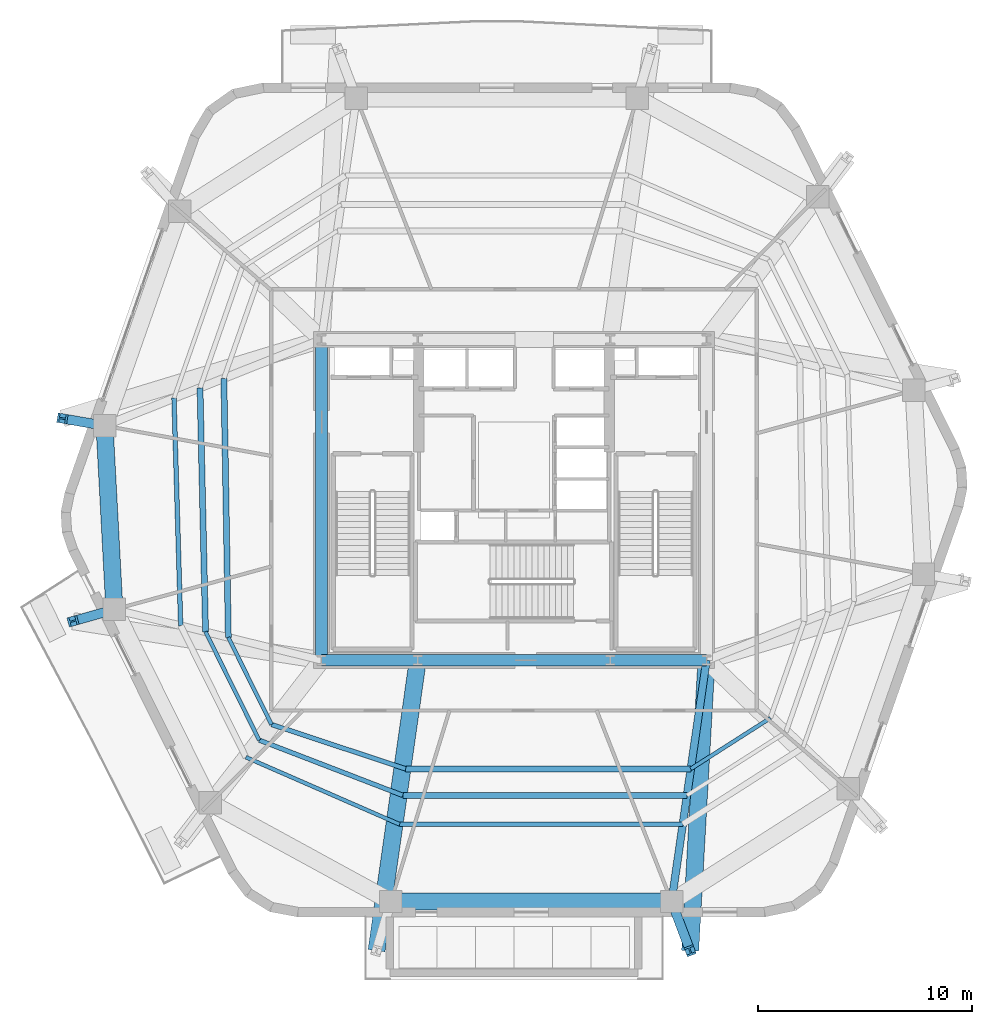
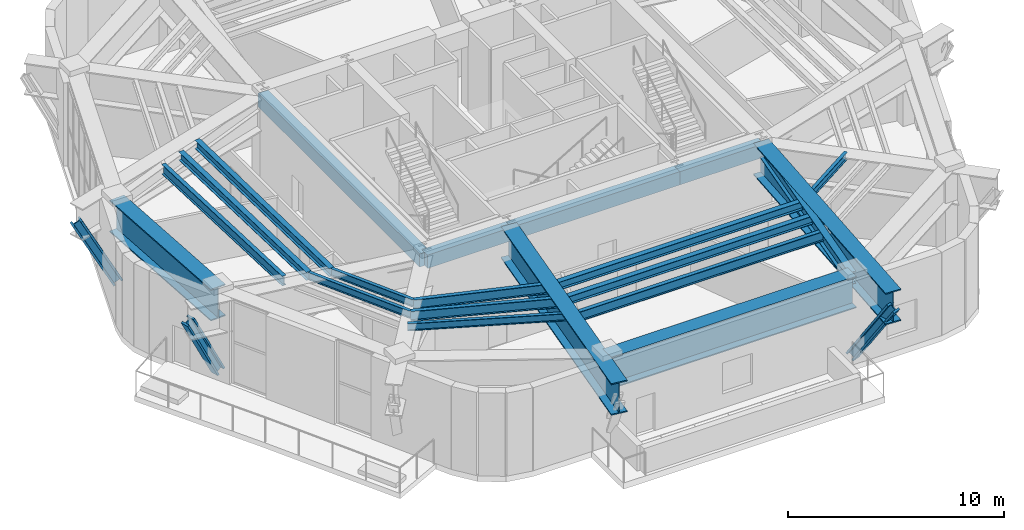
# One storey, part 3 of 18: 21 beams, 3 members.
"""IFC4 building model written with IfcOpenShell, lengths in metres."""

from ifc_helpers import new_model, si_unit, direction, frame, origin, origin_2d, place, context, subcontext, project, spatial, rectangle, i_section, extrude, material, material_profile, profile_set, type_object, element, save


model = new_model("IFC4")

# Units and contexts
model_context = context("Model", 3, precision=1e-05, world=origin(), true_north=direction((0.0, 1.0)))
body_context = subcontext(model_context, "Body", "Model", "MODEL_VIEW")
ifc_project = project(units=[si_unit("LENGTHUNIT", "METRE"), si_unit("AREAUNIT", "SQUARE_METRE"), si_unit("VOLUMEUNIT", "CUBIC_METRE"), si_unit("PLANEANGLEUNIT", "RADIAN"), si_unit("MASSUNIT", "GRAM", prefix="KILO")], contexts=[model_context])

# Site, building, storey
site_placement = place(None, origin())
site = spatial("IfcSite", under=ifc_project, at=site_placement, CompositionType="ELEMENT")
building_placement = place(site_placement, origin())
building = spatial("IfcBuilding", under=site, at=building_placement, Name="Kilnhurst Terrace Hotel", CompositionType="ELEMENT")
storey_placement = place(building_placement, frame((0.0, 0.0, 201.5)))
storey = spatial("IfcBuildingStorey", under=building, at=storey_placement, Name="L50", CompositionType="ELEMENT", Elevation=201.5)

# Beams
ifc_material_1 = material(Name="Concrete C50/60", Category="concrete")
ifc_material_profile_1 = material_profile(ifc_material_1, rectangle(XDim=0.550048828125, YDim=0.75, at=origin_2d()), Name="RC550X750")
ifc_profile_set_1 = profile_set([ifc_material_profile_1], Name="Concrete C50/60")
beam_type_1 = type_object("IfcBeamType", Name="BM-SPN-550X750", PredefinedType="SPANDREL", material=ifc_profile_set_1)
beam_1_placement = place(storey_placement, frame((-9.0, -7.5, 4.324951171875), z_axis=(1.0, 0.0, 0.0), x_axis=(0.0, 1.0, 0.0)))
element("IfcBeam", 1, at=beam_1_placement, inside=storey, type_object=beam_type_1, Name="L50 Core Tie Beam CC-SW to CC-SC1", PredefinedType="SPANDREL", context=body_context, shape_type="SweptSolid", body=[
    extrude(rectangle(XDim=0.550048828125, YDim=0.75, at=origin_2d()), origin(), (0.0, 0.0, 1.0), 4.5),
])
beam_2_placement = place(storey_placement, frame((-4.5, -7.5, 4.324951171875), z_axis=(1.0, 0.0, 0.0), x_axis=(0.0, 1.0, 0.0)))
element("IfcBeam", 2, at=beam_2_placement, inside=storey, type_object=beam_type_1, Name="L50 Core Tie Beam CC-SC1 to CC-SC2", PredefinedType="SPANDREL", context=body_context, shape_type="SweptSolid", body=[
    extrude(rectangle(XDim=0.550048828125, YDim=0.75, at=origin_2d()), origin(), (0.0, 0.0, 1.0), 9.0),
])
beam_3_placement = place(storey_placement, frame((4.5, -7.5, 4.324951171875), z_axis=(1.0, 0.0, 0.0), x_axis=(0.0, 1.0, 0.0)))
element("IfcBeam", 3, at=beam_3_placement, inside=storey, type_object=beam_type_1, Name="L50 Core Tie Beam CC-SC2 to CC-SE", PredefinedType="SPANDREL", context=body_context, shape_type="SweptSolid", body=[
    extrude(rectangle(XDim=0.550048828125, YDim=0.75, at=origin_2d()), origin(), (0.0, 0.0, 1.0), 4.5),
])
beam_4_placement = place(storey_placement, frame((-9.0, -7.5, 4.324951171875), z_axis=(0.0, 1.0, 0.0), x_axis=(-1.0, 0.0, 0.0)))
element("IfcBeam", 4, at=beam_4_placement, inside=storey, type_object=beam_type_1, Name="L50 Core Tie Beam CC-SW to CC-NW", PredefinedType="SPANDREL", context=body_context, shape_type="SweptSolid", body=[
    extrude(rectangle(XDim=0.550048828125, YDim=0.75, at=origin_2d()), origin(), (0.0, 0.0, 1.0), 15.0),
])
ifc_material_2 = material(Name="Steel ASTM A992 Grade 50", Category="steel")
ifc_material_profile_2 = material_profile(ifc_material_2, i_section(OverallWidth=0.354736328125, OverallDepth=0.695556640625, WebThickness=0.015380859375, FlangeThickness=0.025146484375, at=origin_2d()), Name="W27X146")
ifc_profile_set_2 = profile_set([ifc_material_profile_2], Name="Steel ASTM A992 Grade 50")
beam_type_2 = type_object("IfcBeamType", Name="BM-STL-W27X146", PredefinedType="BEAM", material=ifc_profile_set_2)
beam_5_placement = place(storey_placement, frame((9.0, -7.5, 4.35205078125), z_axis=(-0.143112538238, -0.989706421824, 0.0), x_axis=(0.989706421824, -0.143112538238, 0.0)))
element("IfcBeam", 5, at=beam_5_placement, inside=storey, type_object=beam_type_2, Name="L50 Radial Floor Beam 2", PredefinedType="BEAM", context=body_context, shape_type="SweptSolid", body=[
    extrude(i_section(OverallWidth=0.354736328125, OverallDepth=0.695556640625, WebThickness=0.015380859375, FlangeThickness=0.025146484375, at=origin_2d()), origin(), (0.0, 0.0, 1.0), 11.3974609375),
])
ifc_material_profile_3 = material_profile(ifc_material_2, i_section(OverallWidth=0.180908203125, OverallDepth=0.417236328125, WebThickness=0.010986328125, FlangeThickness=0.018310546875, at=origin_2d()), Name="W16X57")
ifc_profile_set_3 = profile_set([ifc_material_profile_3], Name="Steel ASTM A992 Grade 50")
beam_type_3 = type_object("IfcBeamType", Name="JST-STL-W16X57", PredefinedType="JOIST", material=ifc_profile_set_3)
beam_6_placement = place(storey_placement, frame((-12.538818359375, -12.032958984375, 4.490966796875), z_axis=(0.916443679054, -0.400163695407, 0.0), x_axis=(0.400163695407, 0.916443679054, 0.0)))
element("IfcBeam", 6, at=beam_6_placement, inside=storey, type_object=beam_type_3, Name="L50 Secondary Floor Steel Joist OUT.12", PredefinedType="JOIST", context=body_context, shape_type="SweptSolid", body=[
    extrude(i_section(OverallWidth=0.180908203125, OverallDepth=0.417236328125, WebThickness=0.010986328125, FlangeThickness=0.018310546875, at=origin_2d()), origin(), (0.0, 0.0, 1.0), 7.84033203125),
])
beam_7_placement = place(storey_placement, frame((8.26611328125, -12.575927734375, 4.490966796875), z_axis=(0.842910995806, 0.53805302076, 0.0), x_axis=(-0.53805302076, 0.842910995806, 0.0)))
element("IfcBeam", 7, at=beam_7_placement, inside=storey, type_object=beam_type_3, Name="L50 Secondary Floor Steel Joist IN.2", PredefinedType="JOIST", context=body_context, shape_type="SweptSolid", body=[
    extrude(i_section(OverallWidth=0.180908203125, OverallDepth=0.417236328125, WebThickness=0.010986328125, FlangeThickness=0.018310546875, at=origin_2d()), origin(), (0.0, 0.0, 1.0), 4.411865234375),
])
beam_8_placement = place(storey_placement, frame((-13.359130859375, -6.430908203125, 4.490966796875), z_axis=(0.444200626094, -0.895927342912, 0.0), x_axis=(0.895927342912, 0.444200626094, 0.0)))
element("IfcBeam", 8, at=beam_8_placement, inside=storey, type_object=beam_type_3, Name="L50 Secondary Floor Steel Joist IN.11", PredefinedType="JOIST", context=body_context, shape_type="SweptSolid", body=[
    extrude(i_section(OverallWidth=0.180908203125, OverallDepth=0.417236328125, WebThickness=0.010986328125, FlangeThickness=0.018310546875, at=origin_2d()), origin(), (0.0, 0.0, 1.0), 4.54150390625),
])
beam_9_placement = place(storey_placement, frame((-14.4248046875, -6.16943359375, 4.490966796875), z_axis=(0.444204491744, -0.895925426313, 0.0), x_axis=(0.895925426313, 0.444204491744, 0.0)))
element("IfcBeam", 9, at=beam_9_placement, inside=storey, type_object=beam_type_3, Name="L50 Secondary Floor Steel Joist MID.11", PredefinedType="JOIST", context=body_context, shape_type="SweptSolid", body=[
    extrude(i_section(OverallWidth=0.180908203125, OverallDepth=0.417236328125, WebThickness=0.010986328125, FlangeThickness=0.018310546875, at=origin_2d()), origin(), (0.0, 0.0, 1.0), 5.651611328125),
])
ifc_material_profile_4 = material_profile(ifc_material_2, i_section(OverallWidth=0.279296875, OverallDepth=0.462890625, WebThickness=0.0107421875, FlangeThickness=0.017333984375, at=origin_2d()), Name="W18X76")
ifc_profile_set_4 = profile_set([ifc_material_profile_4], Name="Steel ASTM A992 Grade 50")
beam_type_4 = type_object("IfcBeamType", Name="JST-STL-W18X76", PredefinedType="JOIST", material=ifc_profile_set_4)
beam_10_placement = place(storey_placement, frame((-5.064697265625, -12.575927734375, 4.468017578125), z_axis=(1.0, 0.0, 0.0), x_axis=(0.0, 1.0, 0.0)))
element("IfcBeam", 10, at=beam_10_placement, inside=storey, type_object=beam_type_4, Name="L50 Secondary Floor Steel Joist IN.1", PredefinedType="JOIST", context=body_context, shape_type="SweptSolid", body=[
    extrude(i_section(OverallWidth=0.279296875, OverallDepth=0.462890625, WebThickness=0.0107421875, FlangeThickness=0.017333984375, at=origin_2d()), origin(), (0.0, 0.0, 1.0), 13.330810546875),
])
beam_11_placement = place(storey_placement, frame((-13.566650390625, 5.685302734375, 4.468017578125), z_axis=(0.017124916462, -0.999853357866, 0.0), x_axis=(0.999853357866, 0.017124916462, 0.0)))
element("IfcBeam", 11, at=beam_11_placement, inside=storey, type_object=beam_type_4, Name="L50 Secondary Floor Steel Joist IN.10", PredefinedType="JOIST", context=body_context, shape_type="SweptSolid", body=[
    extrude(i_section(OverallWidth=0.279296875, OverallDepth=0.462890625, WebThickness=0.0107421875, FlangeThickness=0.017333984375, at=origin_2d()), origin(), (0.0, 0.0, 1.0), 12.117919921875),
])
beam_12_placement = place(storey_placement, frame((-5.202880859375, -13.81689453125, 4.468017578125), z_axis=(1.0, 0.0, 0.0), x_axis=(0.0, 1.0, 0.0)))
element("IfcBeam", 12, at=beam_12_placement, inside=storey, type_object=beam_type_4, Name="L50 Secondary Floor Steel Joist MID.1", PredefinedType="JOIST", context=body_context, shape_type="SweptSolid", body=[
    extrude(i_section(OverallWidth=0.279296875, OverallDepth=0.462890625, WebThickness=0.0107421875, FlangeThickness=0.017333984375, at=origin_2d()), origin(), (0.0, 0.0, 1.0), 13.28955078125),
])
beam_13_placement = place(storey_placement, frame((-14.682861328125, 5.241455078125, 4.468017578125), z_axis=(0.022609166003, -0.999744380136, 0.0), x_axis=(0.999744380136, 0.022609166003, 0.0)))
element("IfcBeam", 13, at=beam_13_placement, inside=storey, type_object=beam_type_4, Name="L50 Secondary Floor Steel Joist MID.10", PredefinedType="JOIST", context=body_context, shape_type="SweptSolid", body=[
    extrude(i_section(OverallWidth=0.279296875, OverallDepth=0.462890625, WebThickness=0.0107421875, FlangeThickness=0.017333984375, at=origin_2d()), origin(), (0.0, 0.0, 1.0), 11.413818359375),
])
ifc_material_profile_5 = material_profile(ifc_material_2, i_section(OverallWidth=0.2138671875, OverallDepth=0.549072265625, WebThickness=0.0146484375, FlangeThickness=0.023681640625, at=origin_2d()), Name="W21X93")
ifc_profile_set_5 = profile_set([ifc_material_profile_5], Name="Steel ASTM A992 Grade 50")
beam_type_5 = type_object("IfcBeamType", Name="JST-STL-W21X93", PredefinedType="JOIST", material=ifc_profile_set_5)
beam_14_placement = place(storey_placement, frame((-5.353515625, -15.17041015625, 4.425048828125), z_axis=(1.0, 0.0, 0.0), x_axis=(0.0, 1.0, 0.0)))
element("IfcBeam", 14, at=beam_14_placement, inside=storey, type_object=beam_type_5, Name="L50 Secondary Floor Steel Joist OUT.1", PredefinedType="JOIST", context=body_context, shape_type="SweptSolid", body=[
    extrude(i_section(OverallWidth=0.2138671875, OverallDepth=0.549072265625, WebThickness=0.0146484375, FlangeThickness=0.023681640625, at=origin_2d()), origin(), (0.0, 0.0, 1.0), 13.244384765625),
])
beam_15_placement = place(storey_placement, frame((-15.900634765625, 4.757568359375, 4.425048828125), z_axis=(0.029444201298, -0.999566425512, 0.0), x_axis=(0.999566425512, 0.029444201298, 0.0)))
element("IfcBeam", 15, at=beam_15_placement, inside=storey, type_object=beam_type_5, Name="L50 Secondary Floor Steel Joist OUT.10", PredefinedType="JOIST", context=body_context, shape_type="SweptSolid", body=[
    extrude(i_section(OverallWidth=0.2138671875, OverallDepth=0.549072265625, WebThickness=0.0146484375, FlangeThickness=0.023681640625, at=origin_2d()), origin(), (0.0, 0.0, 1.0), 10.646484375),
])
beam_16_placement = place(storey_placement, frame((-11.341796875, -10.499755859375, 4.425048828125), z_axis=(0.949415572736, -0.314022404051, 0.0), x_axis=(0.314022404051, 0.949415572736, 0.0)))
element("IfcBeam", 16, at=beam_16_placement, inside=storey, type_object=beam_type_5, Name="L50 Secondary Floor Steel Joist IN.12", PredefinedType="JOIST", context=body_context, shape_type="SweptSolid", body=[
    extrude(i_section(OverallWidth=0.2138671875, OverallDepth=0.549072265625, WebThickness=0.0146484375, FlangeThickness=0.023681640625, at=origin_2d()), origin(), (0.0, 0.0, 1.0), 6.611572265625),
])
beam_17_placement = place(storey_placement, frame((-11.914306640625, -11.23291015625, 4.425048828125), z_axis=(0.93322130885, -0.35930208559, 0.0), x_axis=(0.35930208559, 0.93322130885, 0.0)))
element("IfcBeam", 17, at=beam_17_placement, inside=storey, type_object=beam_type_5, Name="L50 Secondary Floor Steel Joist MID.12", PredefinedType="JOIST", context=body_context, shape_type="SweptSolid", body=[
    extrude(i_section(OverallWidth=0.2138671875, OverallDepth=0.549072265625, WebThickness=0.0146484375, FlangeThickness=0.023681640625, at=origin_2d()), origin(), (0.0, 0.0, 1.0), 7.191650390625),
])

# Members
ifc_material_profile_6 = material_profile(ifc_material_2, i_section(OverallWidth=0.44189453125, OverallDepth=0.531494140625, WebThickness=0.06591796875, FlangeThickness=0.105712890625, at=origin_2d()), Name="W14X605")
ifc_profile_set_6 = profile_set([ifc_material_profile_6], Name="Steel ASTM A992 Grade 50")
member_type = type_object("IfcMemberType", Name="MEM-OTR-DIAG-605", PredefinedType="BRACE", material=ifc_profile_set_6)
member_1_placement = place(storey_placement, frame((7.368896484375, -18.780029296875, 0.0), z_axis=(0.191610966986, -0.508211407652, 0.83964659379), x_axis=(0.935703198783, 0.352788213786, 0.0)))
element("IfcMember", 18, at=member_1_placement, inside=storey, type_object=member_type, Name="L50 Waist Flare Inclined Column Strut 2", PredefinedType="BRACE", context=body_context, shape_type="SweptSolid", body=[
    extrude(i_section(OverallWidth=0.44189453125, OverallDepth=0.531494140625, WebThickness=0.06591796875, FlangeThickness=0.105712890625, at=origin_2d()), origin(), (0.0, 0.0, 1.0), 4.52587890625),
])
member_2_placement = place(storey_placement, frame((-19.14794921875, 3.467041015625, 0.0), z_axis=(-0.458795097439, 0.079147698059, 0.885010000202), x_axis=(-0.170000979016, -0.985443893448, 0.0)))
element("IfcMember", 19, at=member_2_placement, inside=storey, type_object=member_type, Name="L50 Waist Flare Inclined Column Strut 10", PredefinedType="BRACE", context=body_context, shape_type="SweptSolid", body=[
    extrude(i_section(OverallWidth=0.44189453125, OverallDepth=0.531494140625, WebThickness=0.06591796875, FlangeThickness=0.105712890625, at=origin_2d()), origin(), (0.0, 0.0, 1.0), 4.293701171875),
])
member_3_placement = place(storey_placement, frame((-18.68701171875, -5.1240234375, 0.0), z_axis=(-0.450100929166, -0.126977753926, 0.88390372981), x_axis=(0.271512078247, -0.962435032283, 0.0)))
element("IfcMember", 20, at=member_3_placement, inside=storey, type_object=member_type, Name="L50 Waist Flare Inclined Column Strut 11", PredefinedType="BRACE", context=body_context, shape_type="SweptSolid", body=[
    extrude(i_section(OverallWidth=0.44189453125, OverallDepth=0.531494140625, WebThickness=0.06591796875, FlangeThickness=0.105712890625, at=origin_2d()), origin(), (0.0, 0.0, 1.0), 4.299072265625),
])

# Beams
ifc_material_3 = material(Name="Steel ASTM A572 Grade 50", Category="steel")
ifc_material_profile_7 = material_profile(ifc_material_3, i_section(OverallWidth=0.800048828125, OverallDepth=1.800048828125, WebThickness=0.0400390625, FlangeThickness=0.06494140625, at=origin_2d()), Name="PG1800X800")
ifc_profile_set_7 = profile_set([ifc_material_profile_7], Name="Steel ASTM A572 Grade 50")
beam_type_6 = type_object("IfcBeamType", Name="TG-STEP-1800", PredefinedType="USERDEFINED", material=ifc_profile_set_7)
beam_18_placement = place(storey_placement, frame((-5.7548828125, -18.780029296875, 3.800048828125), z_axis=(1.0, 0.0, 0.0), x_axis=(0.0, 1.0, 0.0)))
element("IfcBeam", 21, at=beam_18_placement, inside=storey, type_object=beam_type_6, Name="L50 Zone Step Perimeter Transfer Girder 1", ObjectType="GIRDER", PredefinedType="USERDEFINED", context=body_context, shape_type="SweptSolid", body=[
    extrude(i_section(OverallWidth=0.800048828125, OverallDepth=1.800048828125, WebThickness=0.0400390625, FlangeThickness=0.06494140625, at=origin_2d()), origin(), (0.0, 0.0, 1.0), 13.123779296875),
])
beam_19_placement = place(storey_placement, frame((-19.14794921875, 3.467041015625, 3.800048828125), z_axis=(0.053576072051, -0.998563770875, 0.0), x_axis=(0.998563770875, 0.053576072051, 0.0)))
element("IfcBeam", 22, at=beam_19_placement, inside=storey, type_object=beam_type_6, Name="L50 Zone Step Perimeter Transfer Girder 10", ObjectType="GIRDER", PredefinedType="USERDEFINED", context=body_context, shape_type="SweptSolid", body=[
    extrude(i_section(OverallWidth=0.800048828125, OverallDepth=1.800048828125, WebThickness=0.0400390625, FlangeThickness=0.06494140625, at=origin_2d()), origin(), (0.0, 0.0, 1.0), 8.603515625),
])
beam_20_placement = place(storey_placement, frame((-4.5, -7.5, 3.800048828125), z_axis=(-0.140701170889, -0.990052109997, 0.0), x_axis=(0.990052109997, -0.140701170889, 0.0)))
element("IfcBeam", 23, at=beam_20_placement, inside=storey, type_object=beam_type_6, Name="L50 Zone Flare Radial Transfer Girder 1", ObjectType="GIRDER", PredefinedType="USERDEFINED", context=body_context, shape_type="SweptSolid", body=[
    extrude(i_section(OverallWidth=0.800048828125, OverallDepth=1.800048828125, WebThickness=0.0400390625, FlangeThickness=0.06494140625, at=origin_2d()), origin(), (0.0, 0.0, 1.0), 13.716552734375),
])
beam_21_placement = place(storey_placement, frame((9.0, -7.5, 3.800048828125), z_axis=(-0.056163905291, -0.998421562138, 0.0), x_axis=(0.998421562138, -0.056163905291, 0.0)))
element("IfcBeam", 24, at=beam_21_placement, inside=storey, type_object=beam_type_6, Name="L50 Zone Flare Radial Transfer Girder 2", ObjectType="GIRDER", PredefinedType="USERDEFINED", context=body_context, shape_type="SweptSolid", body=[
    extrude(i_section(OverallWidth=0.800048828125, OverallDepth=1.800048828125, WebThickness=0.0400390625, FlangeThickness=0.06494140625, at=origin_2d()), origin(), (0.0, 0.0, 1.0), 13.6015625),
])

save(model, "model.ifc")
